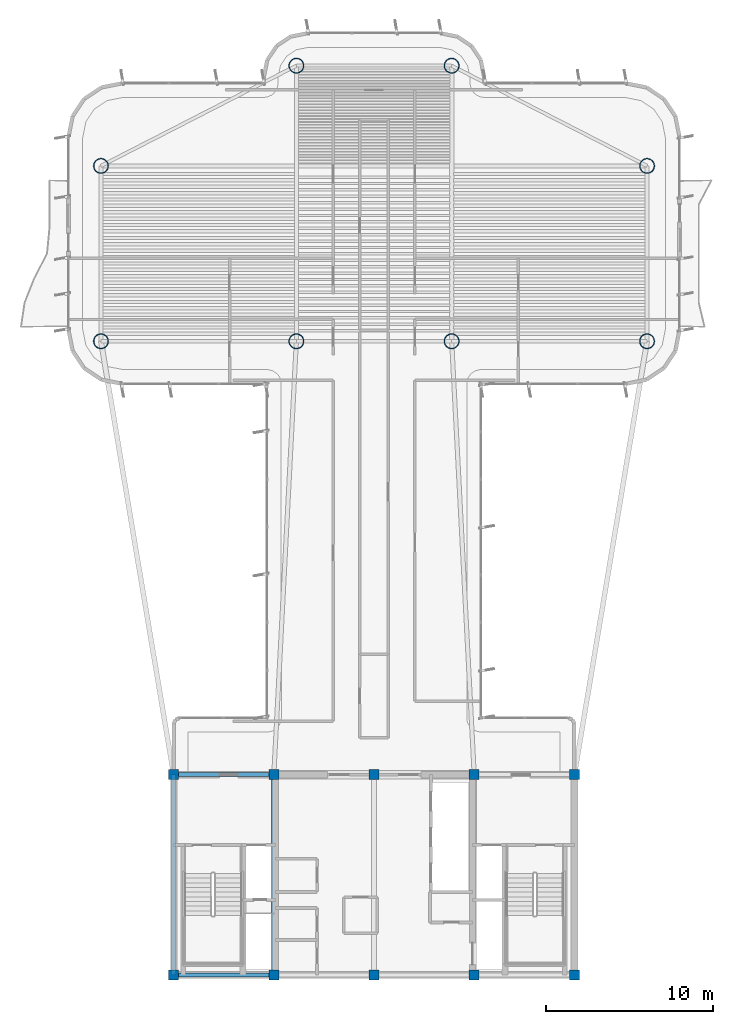
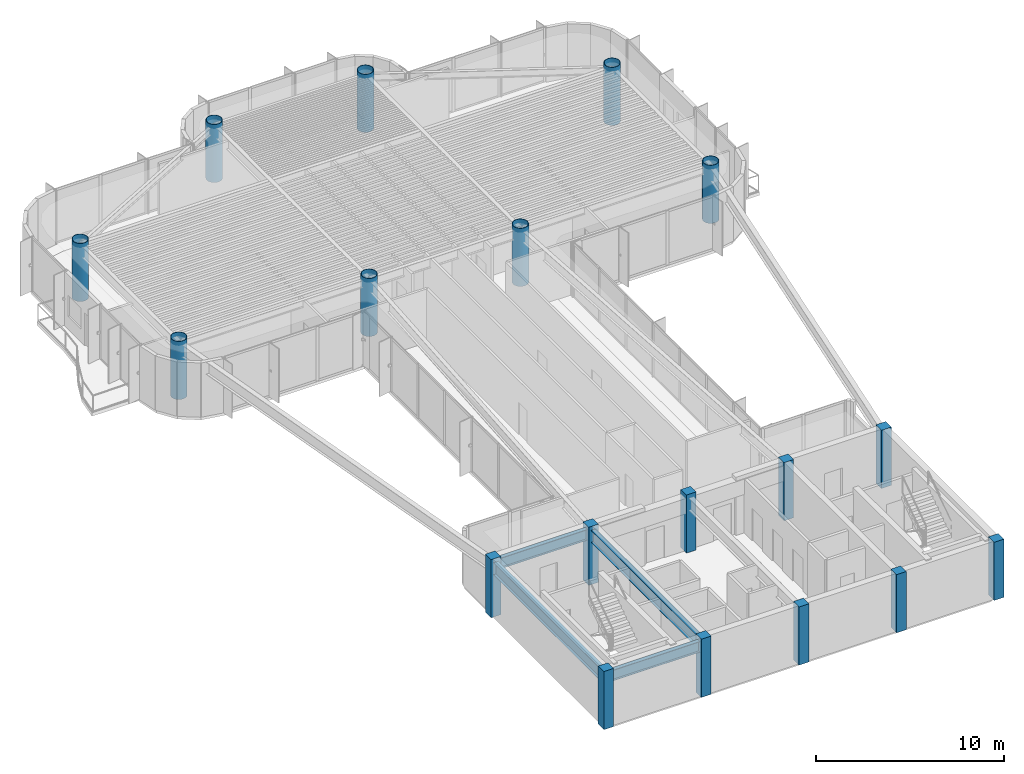
# One storey, part 1 of 15: 18 columns, 4 beams.
"""IFC4 building model written with IfcOpenShell, lengths in metres."""

from ifc_helpers import new_model, si_unit, direction, frame, origin, origin_2d, place, context, subcontext, project, spatial, rectangle, hollow_circle, i_section, extrude, source, transform, mapped, material, material_profile, profile_set, type_object, element, save


model = new_model("IFC4")

# Units and contexts
model_context = context("Model", 3, precision=1e-05, world=origin(), true_north=direction((0.0, 1.0)))
body_context = subcontext(model_context, "Body", "Model", "MODEL_VIEW")
ifc_project = project(units=[si_unit("LENGTHUNIT", "METRE"), si_unit("AREAUNIT", "SQUARE_METRE"), si_unit("VOLUMEUNIT", "CUBIC_METRE"), si_unit("PLANEANGLEUNIT", "RADIAN"), si_unit("MASSUNIT", "GRAM", prefix="KILO")], contexts=[model_context])

# Site, building, storey
site_placement = place(None, origin())
site = spatial("IfcSite", under=ifc_project, at=site_placement, CompositionType="ELEMENT")
building_placement = place(site_placement, origin())
building = spatial("IfcBuilding", under=site, at=building_placement, Name="Brelvock Crest Care Tower", CompositionType="ELEMENT")
storey_placement = place(building_placement, frame((0.0, 0.0, 241.919921875)))
storey = spatial("IfcBuildingStorey", under=building, at=storey_placement, Name="L61", CompositionType="ELEMENT", Elevation=241.919921875)

# Columns
ifc_material_1 = material(Name="Concrete S65 (65 MPa)", Category="concrete")
ifc_material_profile_1 = material_profile(ifc_material_1, rectangle(XDim=0.60009765625, YDim=0.60009765625, at=origin_2d()), Name="RC600x600")
ifc_profile_set_1 = profile_set([ifc_material_profile_1], Name="Concrete S65 (65 MPa)")
column_type_1 = type_object("IfcColumnType", Name="COL-RC4", PredefinedType="COLUMN", material=ifc_profile_set_1)
shared_shape_1 = source(origin(), body_context, "Body", "SweptSolid", [
    extrude(rectangle(XDim=0.60009765625, YDim=0.60009765625, at=origin_2d()), origin(), (0.0, 0.0, 1.0), 3.780029296875),
])
for number, where, z_axis, x_axis, name in (
    (1, (24.0, 6.0, 0.0), (0.0, 0.0, 1.0), (1.0, 0.0, 0.0), "L61 Core Column CC-01"),
    (2, (30.0, 6.0, 0.0), (0.0, 0.0, 1.0), (1.0, 0.0, 0.0), "L61 Core Column CC-02"),
    (3, (36.0, 6.0, 0.0), (0.0, 0.0, 1.0), (1.0, 0.0, 0.0), "L61 Core Column CC-03"),
    (4, (42.0, 6.0, 0.0), (0.0, 0.0, 1.0), (1.0, 0.0, 0.0), "L61 Core Column CC-04"),
    (5, (48.0, 6.0, 0.0), (0.0, 0.0, 1.0), (1.0, 0.0, 0.0), "L61 Core Column CC-05"),
    (6, (24.0, 18.0, 0.0), (0.0, 0.0, 1.0), (1.0, 0.0, 0.0), "L61 Core Column CC-06"),
    (7, (30.0, 18.0, 0.0), (0.0, 0.0, 1.0), (1.0, 0.0, 0.0), "L61 Core Column CC-07"),
    (8, (36.0, 18.0, 0.0), (0.0, 0.0, 1.0), (1.0, 0.0, 0.0), "L61 Core Column CC-08"),
    (9, (42.0, 18.0, 0.0), (0.0, 0.0, 1.0), (1.0, 0.0, 0.0), "L61 Core Column CC-09"),
    (10, (48.0, 18.0, 0.0), (0.0, 0.0, 1.0), (1.0, 0.0, 0.0), "L61 Core Column CC-10"),
):
    element("IfcColumn", number, at=place(storey_placement, frame(where, z_axis=z_axis, x_axis=x_axis)), inside=storey, type_object=column_type_1, Name=name, PredefinedType="COLUMN", context=body_context, shape_type="MappedRepresentation", body=[
        mapped(shared_shape_1, transform((0.0, 0.0, 0.0), x_axis=(1.0, 0.0, 0.0), y_axis=(0.0, 1.0, 0.0), z_axis=(0.0, 0.0, 1.0), scale=1.0)),
    ])
ifc_material_2 = material(Name="Steel Grade 350", Category="steel")
ifc_material_profile_2 = material_profile(ifc_material_2, hollow_circle(Radius=0.449951171875, WallThickness=0.031982421875, at=origin_2d()), Name="CFT900x32")
ifc_profile_set_2 = profile_set([ifc_material_profile_2], Name="Steel Grade 350")
column_type_2 = type_object("IfcColumnType", Name="COL-MC4", PredefinedType="COLUMN", material=ifc_profile_set_2)
shared_shape_2 = source(origin(), body_context, "Body", "SweptSolid", [
    extrude(hollow_circle(Radius=0.449951171875, WallThickness=0.031982421875, at=origin_2d()), origin(), (0.0, 0.0, 1.0), 3.780029296875),
])
for number, where, z_axis, x_axis, name in (
    (11, (19.64990234375, 43.949951171875, 0.0), (0.0, 0.0, 1.0), (1.0, 0.0, 0.0), "L61 Tower Column M1"),
    (12, (19.64990234375, 54.449951171875, 0.0), (0.0, 0.0, 1.0), (1.0, 0.0, 0.0), "L61 Tower Column M2"),
    (13, (52.35009765625, 43.949951171875, 0.0), (0.0, 0.0, 1.0), (1.0, 0.0, 0.0), "L61 Tower Column M3"),
    (14, (52.35009765625, 54.449951171875, 0.0), (0.0, 0.0, 1.0), (1.0, 0.0, 0.0), "L61 Tower Column M4"),
    (15, (31.35009765625, 43.949951171875, 0.0), (0.0, 0.0, 1.0), (1.0, 0.0, 0.0), "L61 Tower Column M5"),
    (16, (40.64990234375, 43.949951171875, 0.0), (0.0, 0.0, 1.0), (1.0, 0.0, 0.0), "L61 Tower Column M6"),
    (17, (31.35009765625, 60.449951171875, 0.0), (0.0, 0.0, 1.0), (1.0, 0.0, 0.0), "L61 Tower Column M7"),
    (18, (40.64990234375, 60.449951171875, 0.0), (0.0, 0.0, 1.0), (1.0, 0.0, 0.0), "L61 Tower Column M8"),
):
    element("IfcColumn", number, at=place(storey_placement, frame(where, z_axis=z_axis, x_axis=x_axis)), inside=storey, type_object=column_type_2, Name=name, PredefinedType="COLUMN", context=body_context, shape_type="MappedRepresentation", body=[
        mapped(shared_shape_2, transform((0.0, 0.0, 0.0), x_axis=(1.0, 0.0, 0.0), y_axis=(0.0, 1.0, 0.0), z_axis=(0.0, 0.0, 1.0), scale=1.0)),
    ])

# Beams
ifc_material_profile_3 = material_profile(ifc_material_2, i_section(OverallWidth=0.25, OverallDepth=0.699951171875, WebThickness=0.011962890625, FlangeThickness=0.02001953125, at=origin_2d()), Name="700WB150")
ifc_profile_set_3 = profile_set([ifc_material_profile_3], Name="Steel Grade 350")
beam_type_1 = type_object("IfcBeamType", Name="BM-G4", PredefinedType="BEAM", material=ifc_profile_set_3)
shared_shape_3 = source(origin(), body_context, "Body", "SweptSolid", [
    extrude(i_section(OverallWidth=0.25, OverallDepth=0.699951171875, WebThickness=0.011962890625, FlangeThickness=0.02001953125, at=origin_2d()), origin(), (0.0, 0.0, 1.0), 6.0),
])
for number, where, z_axis, x_axis, name in (
    (19, (24.0, 6.0, 3.18017578125), (1.0, 0.0, 0.0), (0.0, 1.0, 0.0), "BM-CORES-L61-1"),
    (20, (24.0, 18.0, 3.18017578125), (1.0, 0.0, 0.0), (0.0, 1.0, 0.0), "BM-COREN-L61-1"),
):
    element("IfcBeam", number, at=place(storey_placement, frame(where, z_axis=z_axis, x_axis=x_axis)), inside=storey, type_object=beam_type_1, Name=name, PredefinedType="BEAM", context=body_context, shape_type="MappedRepresentation", body=[
        mapped(shared_shape_3, transform((0.0, 0.0, 0.0), x_axis=(1.0, 0.0, 0.0), y_axis=(0.0, 1.0, 0.0), z_axis=(0.0, 0.0, 1.0), scale=1.0)),
    ])
ifc_material_profile_4 = material_profile(ifc_material_2, i_section(OverallWidth=0.300048828125, OverallDepth=0.800048828125, WebThickness=0.013916015625, FlangeThickness=0.02197265625, at=origin_2d()), Name="800WB192")
ifc_profile_set_4 = profile_set([ifc_material_profile_4], Name="Steel Grade 350")
beam_type_2 = type_object("IfcBeamType", Name="BM-G5", PredefinedType="BEAM", material=ifc_profile_set_4)
shared_shape_4 = source(origin(), body_context, "Body", "SweptSolid", [
    extrude(i_section(OverallWidth=0.300048828125, OverallDepth=0.800048828125, WebThickness=0.013916015625, FlangeThickness=0.02197265625, at=origin_2d()), origin(), (0.0, 0.0, 1.0), 12.0),
])
for number, where, z_axis, x_axis, name in (
    (21, (24.0, 6.0, 3.130126953125), (0.0, 1.0, 0.0), (-1.0, 0.0, 0.0), "BM-COREX-L61-1"),
    (22, (30.0, 6.0, 3.130126953125), (0.0, 1.0, 0.0), (-1.0, 0.0, 0.0), "BM-COREX-L61-2"),
):
    element("IfcBeam", number, at=place(storey_placement, frame(where, z_axis=z_axis, x_axis=x_axis)), inside=storey, type_object=beam_type_2, Name=name, PredefinedType="BEAM", context=body_context, shape_type="MappedRepresentation", body=[
        mapped(shared_shape_4, transform((0.0, 0.0, 0.0), x_axis=(1.0, 0.0, 0.0), y_axis=(0.0, 1.0, 0.0), z_axis=(0.0, 0.0, 1.0), scale=1.0)),
    ])

save(model, "model.ifc")
